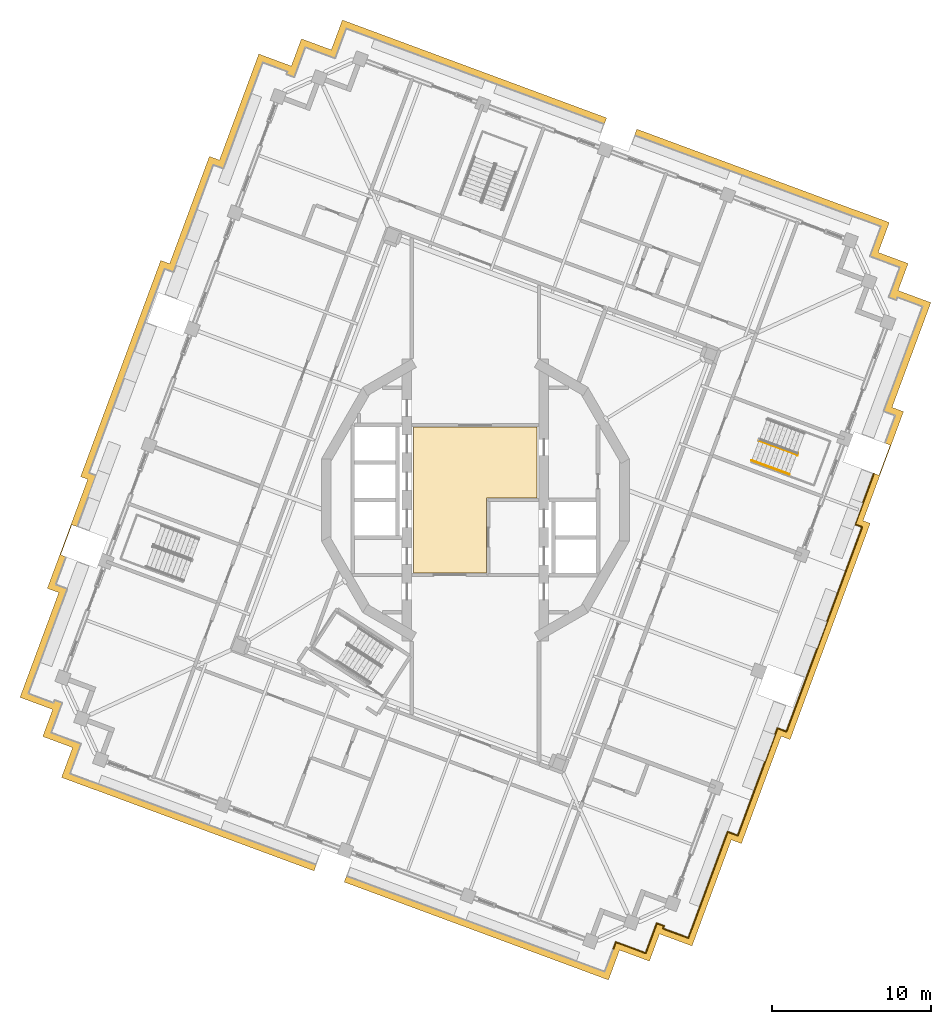
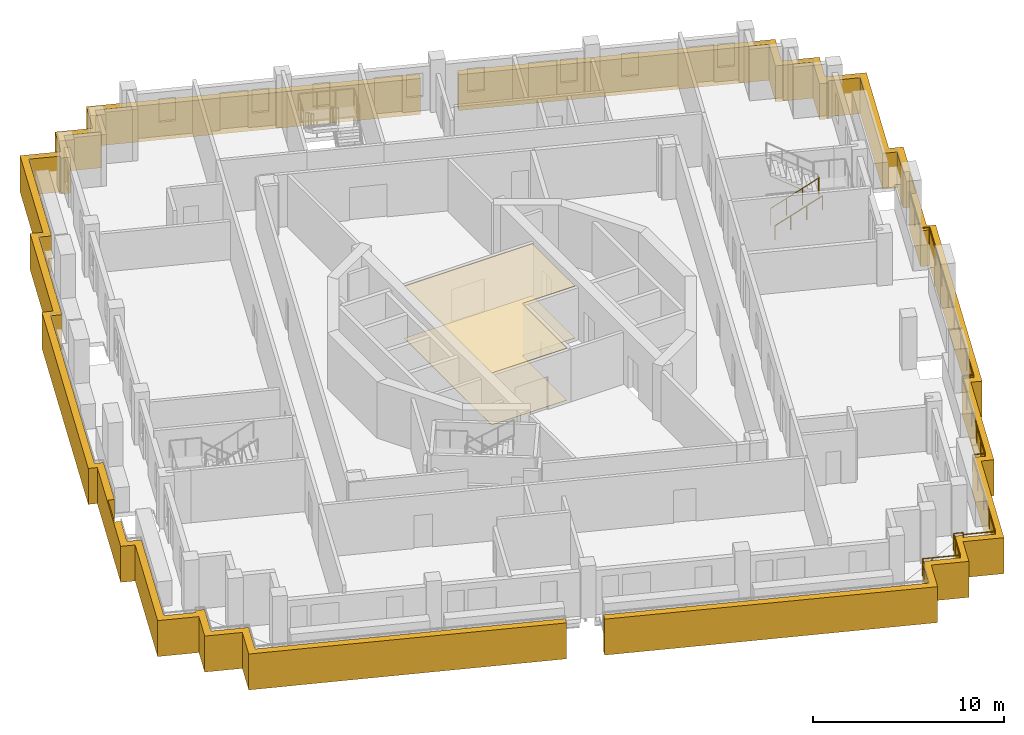
# One storey, part 13 of 18: 4 coverings, 3 railings.
"""IFC4 building model written with IfcOpenShell, lengths in metres."""

import ifcopenshell
import ifcopenshell.guid

model = None  # the IFC model being written
_history = None  # IfcOwnerHistory: only IFC2X3 demands one
_inside = {}  # id of a spatial element -> (the spatial element, [elements in it])
_under = {}  # id of a project, library or spatial element -> (it, [spatial elements below it])
_declared = {}  # id of a project -> (the project, [libraries it declares])
_typed = {}  # id of a type object -> (the type object, [elements of that type])
_made_of = {}  # id of a material, layer set ... -> (it, [elements and type objects made of it])


def new_model(schema):
    """Start an empty IFC model of exactly this schema.

    Asked for "IFC4X3", IfcOpenShell would pick the latest addendum, in which some entities
    have other attributes; the version numbers below select the first issue.
    IFC2X3 requires an IfcOwnerHistory on every rooted entity: one is made here for all.
    """
    global model, _history
    if schema == "IFC4X3":
        model = ifcopenshell.file(schema_version=(4, 3, 0, 0))
    else:
        model = ifcopenshell.file(schema=schema)
    _inside.clear()
    _under.clear()
    _declared.clear()
    _typed.clear()
    _made_of.clear()
    _history = None
    if model.schema == "IFC2X3":
        org = make("IfcOrganization", Name="unknown")
        user = make(
            "IfcPersonAndOrganization",
            ThePerson=make("IfcPerson", FamilyName="unknown"),
            TheOrganization=org,
        )
        app = make(
            "IfcApplication",
            ApplicationDeveloper=org,
            Version="unknown",
            ApplicationFullName="unknown",
            ApplicationIdentifier="unknown",
        )
        _history = make(
            "IfcOwnerHistory",
            OwningUser=user,
            OwningApplication=app,
            ChangeAction="ADDED",
            CreationDate=0,
        )
    return model


def make(cls, **values):
    """One entity of the class cls with the attributes given. An attribute that is None is left unset."""
    return model.create_entity(
        cls, **{name: value for name, value in values.items() if value is not None}
    )


def rooted(cls, **values):
    """An entity with a GlobalId (a new one), such as an element, a storey or a relation."""
    return make(cls, GlobalId=ifcopenshell.guid.new(), OwnerHistory=_history, **values)


def si_unit(unit_type, name, prefix=None):
    """IfcSIUnit, for example si_unit("LENGTHUNIT", "METRE", prefix="MILLI")."""
    return make("IfcSIUnit", UnitType=unit_type, Prefix=prefix, Name=name)


def assignment(units):
    """IfcUnitAssignment: the units of a project."""
    return None if units is None else make("IfcUnitAssignment", Units=units)


def point(xyz):
    """IfcCartesianPoint."""
    return None if xyz is None else make("IfcCartesianPoint", Coordinates=xyz)


def direction(xyz):
    """IfcDirection."""
    return None if xyz is None else make("IfcDirection", DirectionRatios=xyz)


def frame(location, z_axis=None, x_axis=None):
    """IfcAxis2Placement3D, a coordinate frame: its origin and axes. An axis left out is left unset."""
    return make(
        "IfcAxis2Placement3D",
        Location=point(location),
        Axis=direction(z_axis),
        RefDirection=direction(x_axis),
    )


def frame_2d(location, x_axis=None):
    """IfcAxis2Placement2D, a coordinate frame in the plane: its origin and x axis."""
    return make(
        "IfcAxis2Placement2D", Location=point(location), RefDirection=direction(x_axis)
    )


def origin():
    """The frame at (0, 0, 0) with its axes left unset."""
    return frame((0.0, 0.0, 0.0))


def origin_2d():
    """The frame at (0, 0) in the plane with its x axis left unset."""
    return frame_2d((0.0, 0.0))


def place(relative_to, where):
    """IfcLocalPlacement: puts the frame where relative to a parent placement (None: the world)."""
    return make(
        "IfcLocalPlacement", PlacementRelTo=relative_to, RelativePlacement=where
    )


def context(
    kind, dimensions, precision=None, world=None, true_north=None, identifier=None
):
    """IfcGeometricRepresentationContext, for example the 3D "Model" context."""
    return make(
        "IfcGeometricRepresentationContext",
        ContextIdentifier=identifier,
        ContextType=kind,
        CoordinateSpaceDimension=dimensions,
        Precision=precision,
        WorldCoordinateSystem=world,
        TrueNorth=true_north,
    )


def subcontext(parent, identifier, kind, view, scale=None):
    """IfcGeometricRepresentationSubContext, for example "Body" below "Model"."""
    return make(
        "IfcGeometricRepresentationSubContext",
        ContextIdentifier=identifier,
        ContextType=kind,
        ParentContext=parent,
        TargetScale=scale,
        TargetView=view,
    )


def project(units=None, contexts=None):
    """IfcProject with its units and contexts."""
    return rooted(
        "IfcProject",
        Name="project",
        RepresentationContexts=contexts,
        UnitsInContext=assignment(units),
    )


def spatial(cls, under=None, at=None, **own):
    """A site, building, storey or space (cls), placed at a placement, below another one or the project."""
    s = rooted(cls, ObjectPlacement=at, **own)
    if under is not None:
        _under.setdefault(under.id(), (under, []))[1].append(s)
    return s


def polyline(points):
    """IfcPolyline through the points."""
    return make("IfcPolyline", Points=[point(p) for p in points])


def profile(cls, at=None, kind="AREA", **sizes):
    """A parametric profile (cls). Its sizes go by their IFC names, for example OverallWidth=200.0."""
    return make(cls, ProfileType=kind, Position=at, **sizes)


def circle(**sizes):
    """IfcCircleProfileDef."""
    return profile("IfcCircleProfileDef", **sizes)


def outline(outer, holes=None, kind="AREA"):
    """IfcArbitraryClosedProfileDef: a profile drawn as a closed curve; with holes, ...WithVoids."""
    if holes is None:
        return make("IfcArbitraryClosedProfileDef", ProfileType=kind, OuterCurve=outer)
    return make(
        "IfcArbitraryProfileDefWithVoids",
        ProfileType=kind,
        OuterCurve=outer,
        InnerCurves=holes,
    )


def extrude(swept, where, along, depth):
    """IfcExtrudedAreaSolid: the profile swept, set in the frame where, extruded along a direction by depth."""
    return make(
        "IfcExtrudedAreaSolid",
        SweptArea=swept,
        Position=where,
        ExtrudedDirection=direction(along),
        Depth=depth,
    )


def shape(context_of_items, identifier, shape_type, items):
    """IfcShapeRepresentation: the items that make up one representation, for example the "Body"."""
    return make(
        "IfcShapeRepresentation",
        ContextOfItems=context_of_items,
        RepresentationIdentifier=identifier,
        RepresentationType=shape_type,
        Items=items,
    )


def material(Name=None, Category=None):
    """IfcMaterial."""
    return make("IfcMaterial", Name=Name, Category=Category)


def layer(
    of_material, thickness, ventilated=None, Name=None, Category=None, Priority=None
):
    """IfcMaterialLayer: one layer of a wall or slab, of a material (None: an air gap)."""
    return make(
        "IfcMaterialLayer",
        Material=of_material,
        LayerThickness=thickness,
        IsVentilated=ventilated,
        Name=Name,
        Category=Category,
        Priority=Priority,
    )


def layer_set(layers, Name=None):
    """IfcMaterialLayerSet."""
    return make("IfcMaterialLayerSet", MaterialLayers=layers, LayerSetName=Name)


def made_of(thing, what):
    """Note that an element or type object is made of a material, layer set ...; save() writes the relation."""
    if what is not None:
        _made_of.setdefault(what.id(), (what, []))[1].append(thing)
    return thing


def type_object(cls, material=None, **own):
    """A type object (cls), such as IfcWallType, which elements share."""
    return made_of(rooted(cls, **own), material)


def element(
    cls,
    number,
    at=None,
    inside=None,
    cuts=None,
    type_object=None,
    material=None,
    context=None,
    identifier="Body",
    shape_type=None,
    held_by="IfcProductDefinitionShape",
    body=None,
    shapes=None,
    **own,
):
    """One element of the class cls, such as IfcWall. Its Tag is "e" and its number.

    at: its placement. inside: the storey or other place that contains it. cuts: it is an
    opening in that element (IfcRelVoidsElement). A single representation is given by context,
    identifier, shape_type and body (its items); several are given by shapes. held_by: the class
    of the entity that holds the representations. save() writes the other relations.
    """
    e = rooted(cls, Tag="e%d" % number, ObjectPlacement=at, **own)
    if body is not None:
        shapes = [shape(context, identifier, shape_type, body)]
    if shapes is not None:
        e.Representation = make(held_by, Representations=shapes)
    if inside is not None:
        _inside.setdefault(inside.id(), (inside, []))[1].append(e)
    if cuts is not None:
        rooted(
            "IfcRelVoidsElement", RelatingBuildingElement=cuts, RelatedOpeningElement=e
        )
    if type_object is not None:
        _typed.setdefault(type_object.id(), (type_object, []))[1].append(e)
    return made_of(e, material)


def aggregate(whole, parts):
    """IfcRelAggregates: a whole, such as a stair, and the parts it consists of."""
    return rooted("IfcRelAggregates", RelatingObject=whole, RelatedObjects=parts)


def save(model, path):
    """Write the relations noted so far, then the file.

    IfcRelAggregates (storeys below a building ...), IfcRelContainedInSpatialStructure (elements
    in a storey), IfcRelDefinesByType, IfcRelAssociatesMaterial and IfcRelDeclares: one each for
    every whole, place, type object, material and project.
    """
    for whole, parts in _under.values():
        aggregate(whole, parts)
    for where, things in _inside.values():
        rooted(
            "IfcRelContainedInSpatialStructure",
            RelatedElements=things,
            RelatingStructure=where,
        )
    for kind, things in _typed.values():
        rooted("IfcRelDefinesByType", RelatedObjects=things, RelatingType=kind)
    for what, things in _made_of.values():
        rooted("IfcRelAssociatesMaterial", RelatedObjects=things, RelatingMaterial=what)
    for by, libraries in _declared.values():
        rooted("IfcRelDeclares", RelatingContext=by, RelatedDefinitions=libraries)
    model.write(path)


model = new_model("IFC4")

# Units and contexts
model_context = context("Model", 3, precision=1e-05, world=origin(), true_north=direction((0.0, 1.0)))
body_context = subcontext(model_context, "Body", "Model", "MODEL_VIEW")
ifc_project = project(units=[si_unit("LENGTHUNIT", "METRE"), si_unit("AREAUNIT", "SQUARE_METRE"), si_unit("VOLUMEUNIT", "CUBIC_METRE"), si_unit("PLANEANGLEUNIT", "RADIAN"), si_unit("MASSUNIT", "GRAM", prefix="KILO")], contexts=[model_context])

# Site, building, storey
site_placement = place(None, origin())
site = spatial("IfcSite", under=ifc_project, at=site_placement, CompositionType="ELEMENT")
building_placement = place(site_placement, origin())
building = spatial("IfcBuilding", under=site, at=building_placement, Name="Cantera Rosa Tower", CompositionType="ELEMENT")
storey_placement = place(building_placement, frame((0.0, 0.0, 338.5)))
storey = spatial("IfcBuildingStorey", under=building, at=storey_placement, Name="L76", CompositionType="ELEMENT", Elevation=338.5)

# Railings
ifc_material_1 = material(Name="Stainless steel and laminated glass", Category="steel")
railing_type_1 = type_object("IfcRailingType", Name="GUARD 1100", PredefinedType="BALUSTRADE", material=ifc_material_1)
railing_1_placement = place(storey_placement, frame((25.001953125, 1.655517578125, 0.0)))
element("IfcRailing", 1, at=railing_1_placement, inside=storey, type_object=railing_type_1, Name="GUARD L76-4", PredefinedType="BALUSTRADE", context=body_context, shape_type="SweptSolid", body=[
    extrude(circle(Radius=0.030029296875, at=origin_2d()), frame((0.0, 0.0, 1.070068359375), z_axis=(-0.347480264473, -0.937687296385, 0.0), x_axis=(0.937687296385, -0.347480264473, 0.0)), (0.0, 0.0, 1.0), 3.402587890625),
    extrude(circle(Radius=0.030029296875, at=origin_2d()), frame((-1.182373046875, -3.190673828125, 1.070068359375), z_axis=(0.937767212955, -0.347264530735, 0.0), x_axis=(0.347264530735, 0.937767212955, 0.0)), (0.0, 0.0, 1.0), 0.478759765625),
    extrude(circle(Radius=0.030029296875, at=origin_2d()), frame((-0.7333984375, -3.35693359375, 1.070068359375), z_axis=(-0.34749344078, -0.937682413515, 0.0), x_axis=(0.937682413515, -0.34749344078, 0.0)), (0.0, 0.0, 1.0), 13.675048828125),
    extrude(circle(Radius=0.030029296875, at=origin_2d()), frame((-5.4853515625, -16.1796875, 1.070068359375), z_axis=(-0.937925419525, 0.346837004095, 0.0), x_axis=(-0.346837004095, -0.937925419525, 0.0)), (0.0, 0.0, 1.0), 0.14990234375),
    extrude(circle(Radius=0.030029296875, at=origin_2d()), frame((-5.6259765625, -16.127685546875, 1.070068359375), z_axis=(-0.936473238007, 0.350739040452, 0.0), x_axis=(-0.350739040452, -0.936473238007, 0.0)), (0.0, 0.0, 1.0), 0.069580078125),
    extrude(circle(Radius=0.030029296875, at=origin_2d()), frame((-5.691162109375, -16.103271484375, 1.070068359375), z_axis=(-0.93782773618, 0.347101047609, 0.0), x_axis=(-0.347101047609, -0.93782773618, 0.0)), (0.0, 0.0, 1.0), 0.372802734375),
    extrude(circle(Radius=0.030029296875, at=origin_2d()), frame((-6.040771484375, -15.973876953125, 1.070068359375), z_axis=(-0.955779008722, 0.294085848838, 0.0), x_axis=(-0.294085848838, -0.955779008722, 0.0)), (0.0, 0.0, 1.0), 0.00341796875),
    extrude(circle(Radius=0.030029296875, at=origin_2d()), frame((-6.0439453125, -15.972900390625, 1.070068359375), z_axis=(-0.419058177462, -0.9079593845, 0.0), x_axis=(0.9079593845, -0.419058177462, 0.0)), (0.0, 0.0, 1.0), 0.00341796875),
    extrude(circle(Radius=0.030029296875, at=origin_2d()), frame((-6.04541015625, -15.97607421875, 1.070068359375), z_axis=(-0.347472404161, -0.937690209156, 0.0), x_axis=(0.937690209156, -0.347472404161, 0.0)), (0.0, 0.0, 1.0), 4.6787109375),
    extrude(circle(Radius=0.030029296875, at=origin_2d()), frame((-7.671142578125, -20.36328125, 1.070068359375), z_axis=(0.0, -1.0, 0.0), x_axis=(1.0, 0.0, 0.0)), (0.0, 0.0, 1.0), 0.000244140625),
    extrude(circle(Radius=0.030029296875, at=origin_2d()), frame((-7.671142578125, -20.363525390625, 1.070068359375), z_axis=(-0.347473297227, -0.937689878219, 0.0), x_axis=(0.937689878219, -0.347473297227, 0.0)), (0.0, 0.0, 1.0), 2.501220703125),
    extrude(circle(Radius=0.030029296875, at=origin_2d()), frame((-8.540283203125, -22.708984375, 1.070068359375), z_axis=(-0.937718232789, 0.347396770127, 0.0), x_axis=(-0.347396770127, -0.937718232789, 0.0)), (0.0, 0.0, 1.0), 0.67529296875),
    extrude(circle(Radius=0.030029296875, at=origin_2d()), frame((-9.173583984375, -22.474365234375, 1.070068359375), z_axis=(-0.347486707816, -0.93768490864, 0.0), x_axis=(0.93768490864, -0.347486707816, 0.0)), (0.0, 0.0, 1.0), 7.1044921875),
    extrude(circle(Radius=0.030029296875, at=origin_2d()), frame((-11.642333984375, -29.13623046875, 1.070068359375), z_axis=(-0.937722403204, 0.347385512837, 0.0), x_axis=(-0.347385512837, -0.937722403204, 0.0)), (0.0, 0.0, 1.0), 1.67626953125),
    extrude(circle(Radius=0.030029296875, at=origin_2d()), frame((-13.214111328125, -28.553955078125, 1.070068359375), z_axis=(0.347630091628, 0.937631761085, 0.0), x_axis=(-0.937631761085, 0.347630091628, 0.0)), (0.0, 0.0, 1.0), 0.17626953125),
    extrude(circle(Radius=0.030029296875, at=origin_2d()), frame((-13.15283203125, -28.388671875, 1.070068359375), z_axis=(-0.937666302575, 0.34753691173, 0.0), x_axis=(-0.34753691173, -0.937666302575, 0.0)), (0.0, 0.0, 1.0), 0.500244140625),
    extrude(circle(Radius=0.030029296875, at=origin_2d()), frame((-13.621826171875, -28.21484375, 1.070068359375), z_axis=(-0.347107644204, -0.937825294677, 0.0), x_axis=(0.937825294677, -0.347107644204, 0.0)), (0.0, 0.0, 1.0), 0.5),
    extrude(circle(Radius=0.030029296875, at=origin_2d()), frame((-13.79541015625, -28.683837890625, 1.070068359375), z_axis=(-0.347499887537, -0.937680024402, 0.0), x_axis=(0.937680024402, -0.347499887537, 0.0)), (0.0, 0.0, 1.0), 1.5),
    extrude(circle(Radius=0.030029296875, at=origin_2d()), frame((-14.316650390625, -30.09033203125, 1.070068359375), z_axis=(-0.937680024402, 0.347499887537, 0.0), x_axis=(-0.347499887537, -0.937680024402, 0.0)), (0.0, 0.0, 1.0), 1.5),
    extrude(circle(Radius=0.030029296875, at=origin_2d()), frame((-15.72314453125, -29.569091796875, 1.070068359375), z_axis=(-0.937666302575, 0.34753691173, 0.0), x_axis=(-0.34753691173, -0.937666302575, 0.0)), (0.0, 0.0, 1.0), 0.500244140625),
    extrude(circle(Radius=0.030029296875, at=origin_2d()), frame((-16.192138671875, -29.395263671875, 1.070068359375), z_axis=(-0.347107644204, -0.937825294677, 0.0), x_axis=(0.937825294677, -0.347107644204, 0.0)), (0.0, 0.0, 1.0), 0.5),
    extrude(circle(Radius=0.02490234375, at=origin_2d()), origin(), (0.0, 0.0, 1.0), 1.0400390625),
    extrude(circle(Radius=0.02490234375, at=origin_2d()), frame((-0.59130859375, -1.59521484375, 0.0)), (0.0, 0.0, 1.0), 1.0400390625),
    extrude(circle(Radius=0.02490234375, at=origin_2d()), frame((-1.182373046875, -3.190673828125, 0.0)), (0.0, 0.0, 1.0), 1.0400390625),
    extrude(circle(Radius=0.02490234375, at=origin_2d()), frame((-0.7333984375, -3.35693359375, 0.0)), (0.0, 0.0, 1.0), 1.0400390625),
    extrude(circle(Radius=0.02490234375, at=origin_2d()), frame((-1.412353515625, -5.188720703125, 0.0)), (0.0, 0.0, 1.0), 1.0400390625),
    extrude(circle(Radius=0.02490234375, at=origin_2d()), frame((-2.091064453125, -7.0205078125, 0.0)), (0.0, 0.0, 1.0), 1.0400390625),
    extrude(circle(Radius=0.02490234375, at=origin_2d()), frame((-2.77001953125, -8.852294921875, 0.0)), (0.0, 0.0, 1.0), 1.0400390625),
    extrude(circle(Radius=0.02490234375, at=origin_2d()), frame((-3.44873046875, -10.684326171875, 0.0)), (0.0, 0.0, 1.0), 1.0400390625),
    extrude(circle(Radius=0.02490234375, at=origin_2d()), frame((-4.127685546875, -12.51611328125, 0.0)), (0.0, 0.0, 1.0), 1.0400390625),
    extrude(circle(Radius=0.02490234375, at=origin_2d()), frame((-4.806396484375, -14.347900390625, 0.0)), (0.0, 0.0, 1.0), 1.0400390625),
    extrude(circle(Radius=0.02490234375, at=origin_2d()), frame((-5.4853515625, -16.1796875, 0.0)), (0.0, 0.0, 1.0), 1.0400390625),
    extrude(circle(Radius=0.02490234375, at=origin_2d()), frame((-5.6259765625, -16.127685546875, 0.0)), (0.0, 0.0, 1.0), 1.0400390625),
    extrude(circle(Radius=0.02490234375, at=origin_2d()), frame((-5.691162109375, -16.103271484375, 0.0)), (0.0, 0.0, 1.0), 1.0400390625),
    extrude(circle(Radius=0.02490234375, at=origin_2d()), frame((-6.040771484375, -15.973876953125, 0.0)), (0.0, 0.0, 1.0), 1.0400390625),
    extrude(circle(Radius=0.02490234375, at=origin_2d()), frame((-6.0439453125, -15.972900390625, 0.0)), (0.0, 0.0, 1.0), 1.0400390625),
    extrude(circle(Radius=0.02490234375, at=origin_2d()), frame((-6.04541015625, -15.97607421875, 0.0)), (0.0, 0.0, 1.0), 1.0400390625),
    extrude(circle(Radius=0.02490234375, at=origin_2d()), frame((-6.58740234375, -17.4384765625, 0.0)), (0.0, 0.0, 1.0), 1.0400390625),
    extrude(circle(Radius=0.02490234375, at=origin_2d()), frame((-7.129150390625, -18.90087890625, 0.0)), (0.0, 0.0, 1.0), 1.0400390625),
    extrude(circle(Radius=0.02490234375, at=origin_2d()), frame((-7.671142578125, -20.36328125, 0.0)), (0.0, 0.0, 1.0), 1.0400390625),
    extrude(circle(Radius=0.02490234375, at=origin_2d()), frame((-7.671142578125, -20.363525390625, 0.0)), (0.0, 0.0, 1.0), 1.0400390625),
    extrude(circle(Radius=0.02490234375, at=origin_2d()), frame((-8.105712890625, -21.5361328125, 0.0)), (0.0, 0.0, 1.0), 1.0400390625),
    extrude(circle(Radius=0.02490234375, at=origin_2d()), frame((-8.540283203125, -22.708984375, 0.0)), (0.0, 0.0, 1.0), 1.0400390625),
    extrude(circle(Radius=0.02490234375, at=origin_2d()), frame((-9.173583984375, -22.474365234375, 0.0)), (0.0, 0.0, 1.0), 1.0400390625),
    extrude(circle(Radius=0.02490234375, at=origin_2d()), frame((-9.790771484375, -24.139892578125, 0.0)), (0.0, 0.0, 1.0), 1.0400390625),
    extrude(circle(Radius=0.02490234375, at=origin_2d()), frame((-10.407958984375, -25.80517578125, 0.0)), (0.0, 0.0, 1.0), 1.0400390625),
    extrude(circle(Radius=0.02490234375, at=origin_2d()), frame((-11.025146484375, -27.470703125, 0.0)), (0.0, 0.0, 1.0), 1.0400390625),
    extrude(circle(Radius=0.02490234375, at=origin_2d()), frame((-11.642333984375, -29.13623046875, 0.0)), (0.0, 0.0, 1.0), 1.0400390625),
    extrude(circle(Radius=0.02490234375, at=origin_2d()), frame((-13.214111328125, -28.553955078125, 0.0)), (0.0, 0.0, 1.0), 1.0400390625),
    extrude(circle(Radius=0.02490234375, at=origin_2d()), frame((-13.15283203125, -28.388671875, 0.0)), (0.0, 0.0, 1.0), 1.0400390625),
    extrude(circle(Radius=0.02490234375, at=origin_2d()), frame((-13.621826171875, -28.21484375, 0.0)), (0.0, 0.0, 1.0), 1.0400390625),
    extrude(circle(Radius=0.02490234375, at=origin_2d()), frame((-13.79541015625, -28.683837890625, 0.0)), (0.0, 0.0, 1.0), 1.0400390625),
    extrude(circle(Radius=0.02490234375, at=origin_2d()), frame((-14.316650390625, -30.09033203125, 0.0)), (0.0, 0.0, 1.0), 1.0400390625),
    extrude(circle(Radius=0.02490234375, at=origin_2d()), frame((-15.72314453125, -29.569091796875, 0.0)), (0.0, 0.0, 1.0), 1.0400390625),
    extrude(circle(Radius=0.02490234375, at=origin_2d()), frame((-16.192138671875, -29.395263671875, 0.0)), (0.0, 0.0, 1.0), 1.0400390625),
    extrude(circle(Radius=0.02490234375, at=origin_2d()), frame((-16.36572265625, -29.8642578125, 0.0)), (0.0, 0.0, 1.0), 1.0400390625),
])
ifc_material_2 = material(Name="Steel S355J2 (EN 10025-2)", Category="steel")
railing_type_2 = type_object("IfcRailingType", Name="STAIR GUARD 1100", PredefinedType="GUARDRAIL", material=ifc_material_2)
railing_2_placement = place(storey_placement, frame((17.802490234375, 3.721923828125, 0.179931640625)))
element("IfcRailing", 2, at=railing_2_placement, inside=storey, type_object=railing_type_2, Name="L76 ST-61 stair guard 1", PredefinedType="GUARDRAIL", context=body_context, shape_type="SweptSolid", body=[
    extrude(circle(Radius=0.02392578125, at=origin_2d()), frame((0.0, 0.0, 1.076171875), z_axis=(0.788747577403, -0.292306804437, 0.540771662738), x_axis=(0.347500508527, 0.937679794265, 0.0)), (0.0, 0.0, 1.0), 2.995849609375),
    extrude(circle(Radius=0.02392578125, at=origin_2d()), frame((2.363037109375, -0.875732421875, 2.6962890625), z_axis=(0.671593765389, -0.740919573429, 0.0), x_axis=(0.740919573429, 0.671593765389, 0.0)), (0.0, 0.0, 1.0), 0.056396484375),
    extrude(circle(Radius=0.02392578125, at=origin_2d()), frame((2.40087890625, -0.91748046875, 2.6962890625), z_axis=(0.348268249601, 0.937394914814, 0.0), x_axis=(-0.937394914814, 0.348268249601, 0.0)), (0.0, 0.0, 1.0), 0.14990234375),
    extrude(circle(Radius=0.02099609375, at=origin_2d()), origin(), (0.0, 0.0, 1.0), 1.052001953125),
    extrude(circle(Radius=0.02099609375, at=origin_2d()), frame((0.78759765625, -0.2919921875, 0.5400390625)), (0.0, 0.0, 1.0), 1.052001953125),
    extrude(circle(Radius=0.02099609375, at=origin_2d()), frame((1.575439453125, -0.583740234375, 1.080078125)), (0.0, 0.0, 1.0), 1.052001953125),
    extrude(circle(Radius=0.02099609375, at=origin_2d()), frame((2.363037109375, -0.875732421875, 1.6201171875)), (0.0, 0.0, 1.0), 1.052001953125),
    extrude(circle(Radius=0.02099609375, at=origin_2d()), frame((2.40087890625, -0.91748046875, 1.6201171875)), (0.0, 0.0, 1.0), 1.052001953125),
    extrude(circle(Radius=0.02099609375, at=origin_2d()), frame((2.453125, -0.77685546875, 1.6201171875)), (0.0, 0.0, 1.0), 1.052001953125),
])
ifc_material_3 = material(Name="Steel S355J2 (EN 10025-2)", Category="steel")
railing_type_3 = type_object("IfcRailingType", Name="STAIR HANDRAIL 900", PredefinedType="HANDRAIL", material=ifc_material_3)
railing_3_placement = place(storey_placement, frame((17.341796875, 2.478515625, 0.179931640625)))
element("IfcRailing", 3, at=railing_3_placement, inside=storey, type_object=railing_type_3, Name="L76 ST-61 stair handrail 1", PredefinedType="HANDRAIL", context=body_context, shape_type="SweptSolid", body=[
    extrude(circle(Radius=0.02392578125, at=origin_2d()), frame((0.0, 0.0, 0.8759765625), z_axis=(0.788747577403, -0.292306804437, 0.540771662738), x_axis=(0.347500508527, 0.937679794265, 0.0)), (0.0, 0.0, 1.0), 2.995849609375),
    extrude(circle(Radius=0.02099609375, at=origin_2d()), origin(), (0.0, 0.0, 1.0), 0.851806640625),
    extrude(circle(Radius=0.02099609375, at=origin_2d()), frame((0.78759765625, -0.2919921875, 0.5400390625)), (0.0, 0.0, 1.0), 0.851806640625),
    extrude(circle(Radius=0.02099609375, at=origin_2d()), frame((1.575439453125, -0.583740234375, 1.080078125)), (0.0, 0.0, 1.0), 0.851806640625),
    extrude(circle(Radius=0.02099609375, at=origin_2d()), frame((2.363037109375, -0.875732421875, 1.6201171875)), (0.0, 0.0, 1.0), 0.851806640625),
])

# Coverings
ifc_material_4 = material(Name="Limestone paving", Category="masonry")
ifc_layer_1 = layer(ifc_material_4, 0.02490234375)
ifc_layer_set_1 = layer_set([ifc_layer_1], Name="STONE FLOOR FINISH 25")
covering_type_1 = type_object("IfcCoveringType", Name="STONE FLOOR FINISH 25", PredefinedType="FLOORING", material=ifc_layer_set_1)
covering_1_placement = place(storey_placement, origin())
element("IfcCovering", 4, at=covering_1_placement, inside=storey, type_object=covering_type_1, Name="STONE FLOOR FINISH L76", PredefinedType="FLOORING", context=body_context, shape_type="SweptSolid", body=[
    extrude(outline(polyline([(3.8798828125, 4.580078125), (3.8798828125, 0.1201171875), (0.679931640625, 0.1201171875), (0.679931640625, -4.580078125), (-3.8798828125, -4.580078125), (-3.8798828125, 4.580078125), (3.8798828125, 4.580078125)])), origin(), (0.0, 0.0, 1.0), 0.02490234375),
])
ifc_material_5 = material(Name="Gypsum ceiling tile")
ifc_layer_2 = layer(ifc_material_5, 0.030029296875)
ifc_layer_set_2 = layer_set([ifc_layer_2], Name="SUSPENDED CEILING 30")
covering_type_2 = type_object("IfcCoveringType", Name="SUSPENDED CEILING 30", PredefinedType="CEILING", material=ifc_layer_set_2)
covering_2_placement = place(storey_placement, frame((0.0, 0.0, 3.320068359375)))
element("IfcCovering", 5, at=covering_2_placement, inside=storey, type_object=covering_type_2, Name="SUSPENDED CEILING L76", PredefinedType="CEILING", context=body_context, shape_type="SweptSolid", body=[
    extrude(outline(polyline([(3.8798828125, 4.580078125), (3.8798828125, 0.1201171875), (0.679931640625, 0.1201171875), (0.679931640625, -4.580078125), (-3.8798828125, -4.580078125), (-3.8798828125, 4.580078125), (3.8798828125, 4.580078125)])), origin(), (0.0, 0.0, 1.0), 0.030029296875),
])
ifc_material_6 = material(Name="Cantera stone", Category="masonry")
covering_type_3 = type_object("IfcCoveringType", Name="TRAY FASCIA 400", PredefinedType="CLADDING", material=ifc_material_6)
covering_3_placement = place(storey_placement, frame((0.0, 0.0, -1.39990234375)))
element("IfcCovering", 6, at=covering_3_placement, inside=storey, type_object=covering_type_3, Name="TRAY FASCIA L76-01", PredefinedType="CLADDING", context=body_context, shape_type="SweptSolid", body=[
    extrude(outline(polyline([(-26.14990234375, -5.814453125), (-26.870849609375, -5.54736328125), (-24.333740234375, 1.299072265625), (-24.782470703125, 1.46533203125), (-19.752685546875, 15.038330078125), (-19.194091796875, 14.831298828125), (-16.69775390625, 21.567626953125), (-16.064453125, 21.3330078125), (-13.595703125, 27.994873046875), (-11.55517578125, 27.23876953125), (-10.92138671875, 28.948974609375), (-9.1396484375, 28.28857421875), (-9.0458984375, 28.25390625), (-9.01123046875, 28.34765625), (-8.35107421875, 30.129150390625), (-6.5693359375, 29.468994140625), (-0.286865234375, 27.140869140625), (2.526123046875, 26.098388671875), (7.402099609375, 24.29150390625), (8.236572265625, 23.982421875), (8.09765625, 23.607177734375), (7.26318359375, 23.91650390625), (2.38720703125, 25.723388671875), (-0.426025390625, 26.765869140625), (-6.70849609375, 29.093994140625), (-8.114990234375, 29.615234375), (-8.63623046875, 28.208740234375), (-8.809814453125, 27.73974609375), (-9.27880859375, 27.91357421875), (-10.685302734375, 28.434814453125), (-11.20654296875, 27.0283203125), (-11.380126953125, 26.559326171875), (-11.84912109375, 26.733154296875), (-11.787841796875, 26.8984375), (-13.359619140625, 27.480712890625), (-15.828369140625, 20.81884765625), (-16.461669921875, 21.053466796875), (-18.9580078125, 14.317138671875), (-19.5166015625, 14.524169921875), (-24.2685546875, 1.701416015625), (-23.819580078125, 1.53515625), (-25.009033203125, -1.67431640625), (-25.319580078125, -1.55908203125), (-25.3203125, -1.558837890625), (-25.3212890625, -1.55859375), (-25.322265625, -1.55859375), (-25.3232421875, -1.55859375), (-25.32421875, -1.55859375), (-25.3251953125, -1.558837890625), (-25.326171875, -1.55908203125), (-25.3271484375, -1.559326171875), (-25.328125, -1.559814453125), (-25.328857421875, -1.560302734375), (-25.32958984375, -1.56103515625), (-25.330322265625, -1.561767578125), (-25.3310546875, -1.5625), (-25.33154296875, -1.563232421875), (-25.33203125, -1.564208984375), (-25.332275390625, -1.56494140625), (-26.02734375, -3.4404296875), (-26.027587890625, -3.44140625), (-26.02783203125, -3.4423828125), (-26.02783203125, -3.443359375), (-26.02783203125, -3.4443359375), (-26.02783203125, -3.4453125), (-26.027587890625, -3.4462890625), (-26.02734375, -3.447021484375), (-26.027099609375, -3.447998046875), (-26.026611328125, -3.448974609375), (-26.026123046875, -3.44970703125), (-26.025390625, -3.450439453125), (-26.024658203125, -3.451171875), (-26.02392578125, -3.451904296875), (-26.023193359375, -3.452392578125), (-26.022216796875, -3.452880859375), (-26.021484375, -3.453125), (-25.7109375, -3.568359375), (-26.356689453125, -5.311279296875), (-25.6357421875, -5.578369140625), (-28.072021484375, -12.15283203125), (-26.47802734375, -12.743408203125), (-26.411376953125, -12.563232421875), (-25.949951171875, -12.734375), (-26.120849609375, -13.19580078125), (-26.644775390625, -14.609619140625), (-25.23095703125, -15.1337890625), (-24.76953125, -15.3046875), (-25.46435546875, -17.179931640625), (-24.050537109375, -17.7041015625), (-24.047607421875, -17.696533203125), (-17.76513671875, -20.024658203125), (-14.9521484375, -21.067138671875), (-10.076171875, -22.8740234375), (-9.99169921875, -22.9052734375), (-10.130859375, -23.280517578125), (-10.215087890625, -23.2490234375), (-15.091064453125, -21.442138671875), (-17.904296875, -20.39990234375), (-23.8115234375, -18.210693359375), (-23.814453125, -18.218017578125), (-25.978515625, -17.416015625), (-25.283447265625, -15.540771484375), (-25.369873046875, -15.5087890625), (-27.158935546875, -14.845703125), (-26.53076171875, -13.150634765625), (-28.586181640625, -12.388916015625), (-26.14990234375, -5.814453125)])), origin(), (0.0, 0.0, 1.0), 2.2998046875),
])
covering_4_placement = place(storey_placement, frame((0.0, 0.0, -1.39990234375)))
element("IfcCovering", 7, at=covering_4_placement, inside=storey, type_object=covering_type_3, Name="TRAY FASCIA L76-02", PredefinedType="CLADDING", context=body_context, shape_type="SweptSolid", body=[
    extrude(outline(polyline([(10.215087890625, 23.2490234375), (15.091064453125, 21.442138671875), (17.904296875, 20.39990234375), (23.8115234375, 18.210693359375), (23.814453125, 18.218017578125), (25.978515625, 17.416015625), (25.283447265625, 15.540771484375), (25.369873046875, 15.5087890625), (27.158935546875, 14.845703125), (26.53076171875, 13.150634765625), (28.586181640625, 12.388916015625), (26.14990234375, 5.814453125), (26.870849609375, 5.54736328125), (24.333740234375, -1.299072265625), (24.782470703125, -1.46533203125), (19.752685546875, -15.038330078125), (19.194091796875, -14.831298828125), (16.69775390625, -21.567626953125), (16.064453125, -21.3330078125), (13.595703125, -27.994873046875), (11.55517578125, -27.23876953125), (10.92138671875, -28.948974609375), (9.1396484375, -28.28857421875), (9.0458984375, -28.25390625), (9.01123046875, -28.34765625), (8.35107421875, -30.129150390625), (6.5693359375, -29.468994140625), (0.286865234375, -27.140869140625), (-2.526123046875, -26.098388671875), (-7.402099609375, -24.29150390625), (-8.236572265625, -23.982421875), (-8.09765625, -23.607177734375), (-7.26318359375, -23.91650390625), (-2.38720703125, -25.723388671875), (0.426025390625, -26.765869140625), (6.70849609375, -29.093994140625), (8.114990234375, -29.615234375), (8.63623046875, -28.208740234375), (8.809814453125, -27.73974609375), (9.27880859375, -27.91357421875), (10.685302734375, -28.434814453125), (11.20654296875, -27.0283203125), (11.380126953125, -26.559326171875), (11.84912109375, -26.733154296875), (11.787841796875, -26.8984375), (13.359619140625, -27.480712890625), (15.828369140625, -20.81884765625), (16.461669921875, -21.053466796875), (18.9580078125, -14.317138671875), (19.5166015625, -14.524169921875), (24.2685546875, -1.701416015625), (23.819580078125, -1.53515625), (25.009033203125, 1.67431640625), (25.319580078125, 1.55908203125), (25.3203125, 1.558837890625), (25.3212890625, 1.55859375), (25.322265625, 1.55859375), (25.3232421875, 1.55859375), (25.32421875, 1.55859375), (25.3251953125, 1.558837890625), (25.326171875, 1.55908203125), (25.3271484375, 1.559326171875), (25.328125, 1.559814453125), (25.328857421875, 1.560302734375), (25.32958984375, 1.56103515625), (25.330322265625, 1.561767578125), (25.3310546875, 1.5625), (25.33154296875, 1.563232421875), (25.33203125, 1.564208984375), (25.332275390625, 1.56494140625), (26.02734375, 3.4404296875), (26.027587890625, 3.44140625), (26.02783203125, 3.4423828125), (26.02783203125, 3.443359375), (26.02783203125, 3.4443359375), (26.02783203125, 3.4453125), (26.027587890625, 3.4462890625), (26.02734375, 3.447021484375), (26.027099609375, 3.447998046875), (26.026611328125, 3.448974609375), (26.026123046875, 3.44970703125), (26.025390625, 3.450439453125), (26.024658203125, 3.451171875), (26.02392578125, 3.451904296875), (26.023193359375, 3.452392578125), (26.022216796875, 3.452880859375), (26.021484375, 3.453125), (25.7109375, 3.568359375), (26.356689453125, 5.311279296875), (25.6357421875, 5.578369140625), (28.072021484375, 12.15283203125), (26.47802734375, 12.743408203125), (26.411376953125, 12.563232421875), (25.949951171875, 12.734375), (26.120849609375, 13.19580078125), (26.644775390625, 14.609619140625), (25.23095703125, 15.1337890625), (24.76953125, 15.3046875), (25.46435546875, 17.179931640625), (24.050537109375, 17.7041015625), (24.047607421875, 17.696533203125), (17.76513671875, 20.024658203125), (14.9521484375, 21.067138671875), (10.076171875, 22.8740234375), (9.99169921875, 22.9052734375), (10.130859375, 23.280517578125), (10.215087890625, 23.2490234375)])), origin(), (0.0, 0.0, 1.0), 2.2998046875),
])

save(model, "model.ifc")
